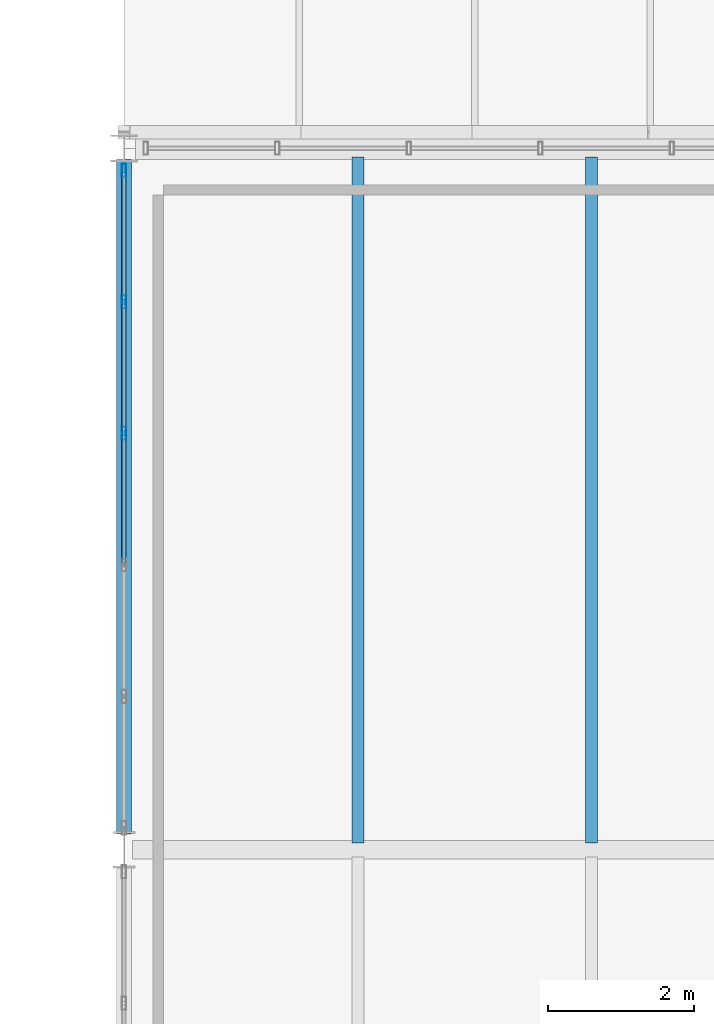
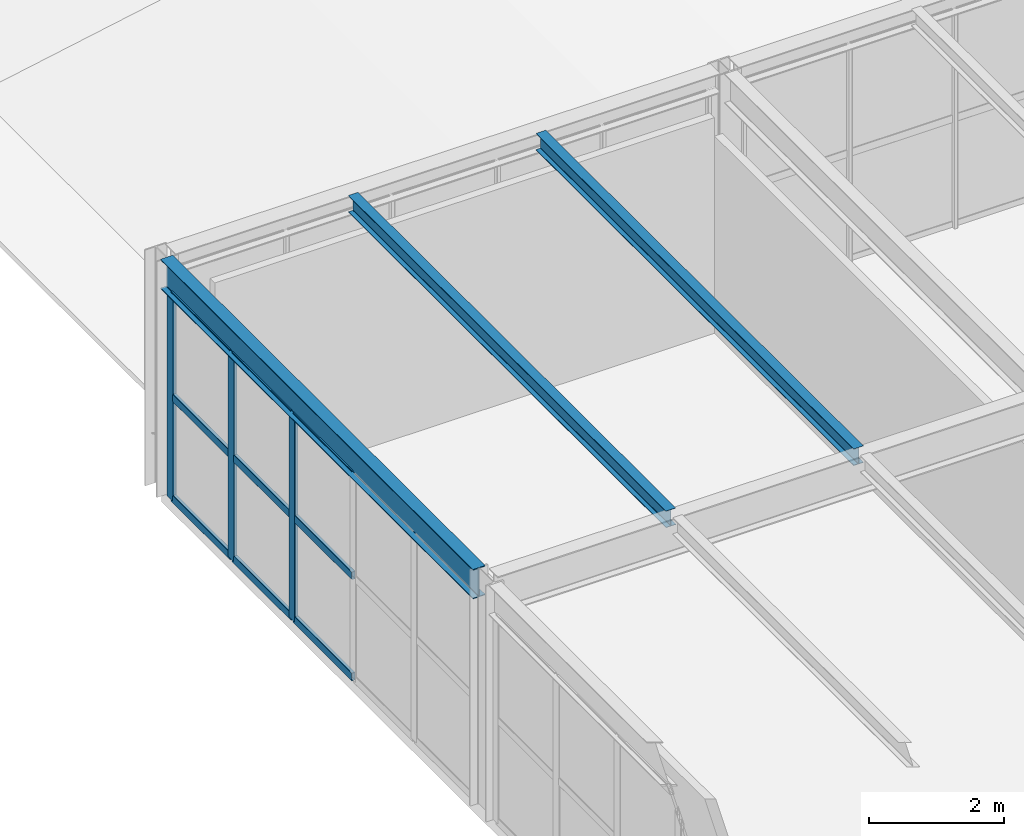
# One storey, part 87 of 170: 12 members, 3 beams, 1 element without a shape of its own.
"""IFC4 building model written with IfcOpenShell, lengths in metres."""

from ifc_helpers import new_model, si_unit, direction, frame, origin, origin_2d, place, context, subcontext, project, spatial, hollow_rectangle, i_section, extrude, material, material_profile, profile_set, type_object, element, aggregate, save


model = new_model("IFC4")

# Units and contexts
model_context = context("Model", 3, precision=1e-05, world=origin(), true_north=direction((0.0, 1.0)))
body_context = subcontext(model_context, "Body", "Model", "MODEL_VIEW")
ifc_project = project(units=[si_unit("LENGTHUNIT", "METRE"), si_unit("AREAUNIT", "SQUARE_METRE"), si_unit("VOLUMEUNIT", "CUBIC_METRE"), si_unit("PLANEANGLEUNIT", "RADIAN"), si_unit("MASSUNIT", "GRAM", prefix="KILO")], contexts=[model_context])

# Site, building, storey
site_placement = place(None, origin())
site = spatial("IfcSite", under=ifc_project, at=site_placement, CompositionType="ELEMENT")
building_placement = place(site_placement, origin())
building = spatial("IfcBuilding", under=site, at=building_placement, Name="Coralgate Yard Interchange", CompositionType="ELEMENT")
storey_placement = place(building_placement, frame((0.0, 0.0, 6.0)))
storey = spatial("IfcBuildingStorey", under=building, at=storey_placement, Name="L01", CompositionType="ELEMENT", Elevation=6.0)

# Beams
ifc_material_1 = material(Name="Structural steel S355J2", Category="steel")
ifc_material_profile_1 = material_profile(ifc_material_1, i_section(OverallWidth=0.209228515625, OverallDepth=0.533203125, WebThickness=0.010009765625, FlangeThickness=0.015625, FilletRadius=0.0126953125, at=origin_2d()), Name="UB 533x210x92")
ifc_profile_set_1 = profile_set([ifc_material_profile_1], Name="Structural steel S355J2")
beam_type_1 = type_object("IfcBeamType", Name="BM-SB-1", PredefinedType="BEAM", material=ifc_profile_set_1)
beam_placement = place(storey_placement, frame((38.39990234375, 86.6201171875, 3.9833984375), z_axis=(0.0, 1.0, 0.0), x_axis=(-1.0, 0.0, 0.0)))
element("IfcBeam", 1, at=beam_placement, inside=storey, type_object=beam_type_1, Name="L01 primary grid girder X4 Y9-10", PredefinedType="BEAM", context=body_context, shape_type="SweptSolid", body=[
    extrude(i_section(OverallWidth=0.209228515625, OverallDepth=0.533203125, WebThickness=0.010009765625, FlangeThickness=0.015625, FilletRadius=0.0126953125, at=origin_2d()), origin(), (0.0, 0.0, 1.0), 9.225830078125),
])
ifc_material_profile_2 = material_profile(ifc_material_1, i_section(OverallWidth=0.1650390625, OverallDepth=0.303466796875, WebThickness=0.006103515625, FlangeThickness=0.01025390625, FilletRadius=0.0087890625, at=origin_2d()), Name="UB 305x165x40")
ifc_profile_set_2 = profile_set([ifc_material_profile_2], Name="Structural steel S355J2")
beam_type_2 = type_object("IfcBeamType", Name="BM-SJ-1", PredefinedType="JOIST", material=ifc_profile_set_2)
for number, where, z_axis, x_axis, name in (
    (2, (41.60009765625, 86.496826171875, 4.098388671875), (0.0, 1.0, 0.0), (-1.0, 0.0, 0.0), "L01 composite floor joist 4-9-1"),
    (3, (44.800048828125, 86.496826171875, 4.098388671875), (0.0, 1.0, 0.0), (-1.0, 0.0, 0.0), "L01 composite floor joist 4-9-2"),
):
    element("IfcBeam", number, at=place(storey_placement, frame(where, z_axis=z_axis, x_axis=x_axis)), inside=storey, type_object=beam_type_2, Name=name, PredefinedType="JOIST", context=body_context, shape_type="SweptSolid", body=[
        extrude(i_section(OverallWidth=0.1650390625, OverallDepth=0.303466796875, WebThickness=0.006103515625, FlangeThickness=0.01025390625, FilletRadius=0.0087890625, at=origin_2d()), origin(), (0.0, 0.0, 1.0), 9.383056640625),
    ])

# Curtain wall, members
ifc_material_2 = material(Name="Anodised coastal aluminium and solar-control low-E glass", Category="aluminium")
curtain_wall_type = type_object("IfcCurtainWallType", Name="CW-CW-L01-A", PredefinedType="NOTDEFINED", material=ifc_material_2)
curtain_wall_placement = place(storey_placement, origin())
curtain_wall = element("IfcCurtainWall", 4, at=curtain_wall_placement, inside=storey, type_object=curtain_wall_type, Name="L01 unitised curtain wall CW-L01-W-04-09", PredefinedType="NOTDEFINED")
ifc_material_3 = material(Name="Anodised coastal aluminium 6063-T6", Category="aluminium")
ifc_material_profile_3 = material_profile(ifc_material_3, hollow_rectangle(XDim=0.06005859375, YDim=0.179931640625, WallThickness=0.00390625, InnerFilletRadius=0.00390625, OuterFilletRadius=0.008056640625, at=origin_2d()), Name="ALU 60x180x4")
ifc_profile_set_3 = profile_set([ifc_material_profile_3], Name="Anodised coastal aluminium 6063-T6")
member_type_1 = type_object("IfcMemberType", Name="MB-MUL-180", PredefinedType="MULLION", material=ifc_profile_set_3)
member_1_placement = place(storey_placement, frame((38.39990234375, 92.10009765625, 0.0), z_axis=(0.0, 0.0, 1.0), x_axis=(1.0, 0.0, 0.0)))
member_1 = element("IfcMember", 5, at=member_1_placement, type_object=member_type_1, Name="CW-L01-W-04-09 vertical mullion 4", PredefinedType="MULLION", context=body_context, shape_type="SweptSolid", body=[
    extrude(hollow_rectangle(XDim=0.06005859375, YDim=0.179931640625, WallThickness=0.00390625, InnerFilletRadius=0.00390625, OuterFilletRadius=0.008056640625, at=origin_2d()), origin(), (0.0, 0.0, 1.0), 3.716796875),
])
member_2_placement = place(storey_placement, frame((38.39990234375, 93.89990234375, 0.0), z_axis=(0.0, 0.0, 1.0), x_axis=(1.0, 0.0, 0.0)))
member_2 = element("IfcMember", 6, at=member_2_placement, type_object=member_type_1, Name="CW-L01-W-04-09 vertical mullion 5", PredefinedType="MULLION", context=body_context, shape_type="SweptSolid", body=[
    extrude(hollow_rectangle(XDim=0.06005859375, YDim=0.179931640625, WallThickness=0.00390625, InnerFilletRadius=0.00390625, OuterFilletRadius=0.008056640625, at=origin_2d()), origin(), (0.0, 0.0, 1.0), 3.716796875),
])
member_3_placement = place(storey_placement, frame((38.39990234375, 95.699951171875, 0.0), z_axis=(0.0, 0.0, 1.0), x_axis=(1.0, 0.0, 0.0)))
member_3 = element("IfcMember", 7, at=member_3_placement, type_object=member_type_1, Name="CW-L01-W-04-09 vertical mullion 6", PredefinedType="MULLION", context=body_context, shape_type="SweptSolid", body=[
    extrude(hollow_rectangle(XDim=0.06005859375, YDim=0.179931640625, WallThickness=0.00390625, InnerFilletRadius=0.00390625, OuterFilletRadius=0.008056640625, at=origin_2d()), origin(), (0.0, 0.0, 1.0), 3.716796875),
])
ifc_material_profile_4 = material_profile(ifc_material_3, hollow_rectangle(XDim=0.06005859375, YDim=0.139892578125, WallThickness=0.00341796875, InnerFilletRadius=0.00341796875, OuterFilletRadius=0.007080078125, at=origin_2d()), Name="ALU 60x140x3.5")
ifc_profile_set_4 = profile_set([ifc_material_profile_4], Name="Anodised coastal aluminium 6063-T6")
member_type_2 = type_object("IfcMemberType", Name="MB-TRN-140", PredefinedType="USERDEFINED", material=ifc_profile_set_4)
member_4_placement = place(storey_placement, frame((38.39990234375, 90.330078125, 0.034912109375), z_axis=(0.0, 1.0, 0.0), x_axis=(-1.0, 0.0, 0.0)))
member_4 = element("IfcMember", 8, at=member_4_placement, type_object=member_type_2, Name="CW-L01-W-04-09 horizontal transom 3-1", ObjectType="TRANSOM", PredefinedType="USERDEFINED", context=body_context, shape_type="SweptSolid", body=[
    extrude(hollow_rectangle(XDim=0.06005859375, YDim=0.139892578125, WallThickness=0.00341796875, InnerFilletRadius=0.00341796875, OuterFilletRadius=0.007080078125, at=origin_2d()), origin(), (0.0, 0.0, 1.0), 1.739990234375),
])
member_5_placement = place(storey_placement, frame((38.39990234375, 90.330078125, 1.8583984375), z_axis=(0.0, 1.0, 0.0), x_axis=(-1.0, 0.0, 0.0)))
member_5 = element("IfcMember", 9, at=member_5_placement, type_object=member_type_2, Name="CW-L01-W-04-09 horizontal transom 3-2", ObjectType="TRANSOM", PredefinedType="USERDEFINED", context=body_context, shape_type="SweptSolid", body=[
    extrude(hollow_rectangle(XDim=0.06005859375, YDim=0.139892578125, WallThickness=0.00341796875, InnerFilletRadius=0.00341796875, OuterFilletRadius=0.007080078125, at=origin_2d()), origin(), (0.0, 0.0, 1.0), 1.739990234375),
])
member_6_placement = place(storey_placement, frame((38.39990234375, 90.330078125, 3.681884765625), z_axis=(0.0, 1.0, 0.0), x_axis=(-1.0, 0.0, 0.0)))
member_6 = element("IfcMember", 10, at=member_6_placement, type_object=member_type_2, Name="CW-L01-W-04-09 horizontal transom 3-3", ObjectType="TRANSOM", PredefinedType="USERDEFINED", context=body_context, shape_type="SweptSolid", body=[
    extrude(hollow_rectangle(XDim=0.06005859375, YDim=0.139892578125, WallThickness=0.00341796875, InnerFilletRadius=0.00341796875, OuterFilletRadius=0.007080078125, at=origin_2d()), origin(), (0.0, 0.0, 1.0), 1.739990234375),
])
member_7_placement = place(storey_placement, frame((38.39990234375, 92.1298828125, 0.034912109375), z_axis=(0.0, 1.0, 0.0), x_axis=(-1.0, 0.0, 0.0)))
member_7 = element("IfcMember", 11, at=member_7_placement, type_object=member_type_2, Name="CW-L01-W-04-09 horizontal transom 4-1", ObjectType="TRANSOM", PredefinedType="USERDEFINED", context=body_context, shape_type="SweptSolid", body=[
    extrude(hollow_rectangle(XDim=0.06005859375, YDim=0.139892578125, WallThickness=0.00341796875, InnerFilletRadius=0.00341796875, OuterFilletRadius=0.007080078125, at=origin_2d()), origin(), (0.0, 0.0, 1.0), 1.740234375),
])
member_8_placement = place(storey_placement, frame((38.39990234375, 92.1298828125, 1.8583984375), z_axis=(0.0, 1.0, 0.0), x_axis=(-1.0, 0.0, 0.0)))
member_8 = element("IfcMember", 12, at=member_8_placement, type_object=member_type_2, Name="CW-L01-W-04-09 horizontal transom 4-2", ObjectType="TRANSOM", PredefinedType="USERDEFINED", context=body_context, shape_type="SweptSolid", body=[
    extrude(hollow_rectangle(XDim=0.06005859375, YDim=0.139892578125, WallThickness=0.00341796875, InnerFilletRadius=0.00341796875, OuterFilletRadius=0.007080078125, at=origin_2d()), origin(), (0.0, 0.0, 1.0), 1.740234375),
])
member_9_placement = place(storey_placement, frame((38.39990234375, 92.1298828125, 3.681884765625), z_axis=(0.0, 1.0, 0.0), x_axis=(-1.0, 0.0, 0.0)))
member_9 = element("IfcMember", 13, at=member_9_placement, type_object=member_type_2, Name="CW-L01-W-04-09 horizontal transom 4-3", ObjectType="TRANSOM", PredefinedType="USERDEFINED", context=body_context, shape_type="SweptSolid", body=[
    extrude(hollow_rectangle(XDim=0.06005859375, YDim=0.139892578125, WallThickness=0.00341796875, InnerFilletRadius=0.00341796875, OuterFilletRadius=0.007080078125, at=origin_2d()), origin(), (0.0, 0.0, 1.0), 1.740234375),
])
member_10_placement = place(storey_placement, frame((38.39990234375, 93.929931640625, 0.034912109375), z_axis=(0.0, 1.0, 0.0), x_axis=(-1.0, 0.0, 0.0)))
member_10 = element("IfcMember", 14, at=member_10_placement, type_object=member_type_2, Name="CW-L01-W-04-09 horizontal transom 5-1", ObjectType="TRANSOM", PredefinedType="USERDEFINED", context=body_context, shape_type="SweptSolid", body=[
    extrude(hollow_rectangle(XDim=0.06005859375, YDim=0.139892578125, WallThickness=0.00341796875, InnerFilletRadius=0.00341796875, OuterFilletRadius=0.007080078125, at=origin_2d()), origin(), (0.0, 0.0, 1.0), 1.739990234375),
])
member_11_placement = place(storey_placement, frame((38.39990234375, 93.929931640625, 1.8583984375), z_axis=(0.0, 1.0, 0.0), x_axis=(-1.0, 0.0, 0.0)))
member_11 = element("IfcMember", 15, at=member_11_placement, type_object=member_type_2, Name="CW-L01-W-04-09 horizontal transom 5-2", ObjectType="TRANSOM", PredefinedType="USERDEFINED", context=body_context, shape_type="SweptSolid", body=[
    extrude(hollow_rectangle(XDim=0.06005859375, YDim=0.139892578125, WallThickness=0.00341796875, InnerFilletRadius=0.00341796875, OuterFilletRadius=0.007080078125, at=origin_2d()), origin(), (0.0, 0.0, 1.0), 1.739990234375),
])
member_12_placement = place(storey_placement, frame((38.39990234375, 93.929931640625, 3.681884765625), z_axis=(0.0, 1.0, 0.0), x_axis=(-1.0, 0.0, 0.0)))
member_12 = element("IfcMember", 16, at=member_12_placement, type_object=member_type_2, Name="CW-L01-W-04-09 horizontal transom 5-3", ObjectType="TRANSOM", PredefinedType="USERDEFINED", context=body_context, shape_type="SweptSolid", body=[
    extrude(hollow_rectangle(XDim=0.06005859375, YDim=0.139892578125, WallThickness=0.00341796875, InnerFilletRadius=0.00341796875, OuterFilletRadius=0.007080078125, at=origin_2d()), origin(), (0.0, 0.0, 1.0), 1.739990234375),
])
aggregate(curtain_wall, [member_1, member_2, member_3, member_4, member_5, member_6, member_7, member_8, member_9, member_10, member_11, member_12])

save(model, "model.ifc")
